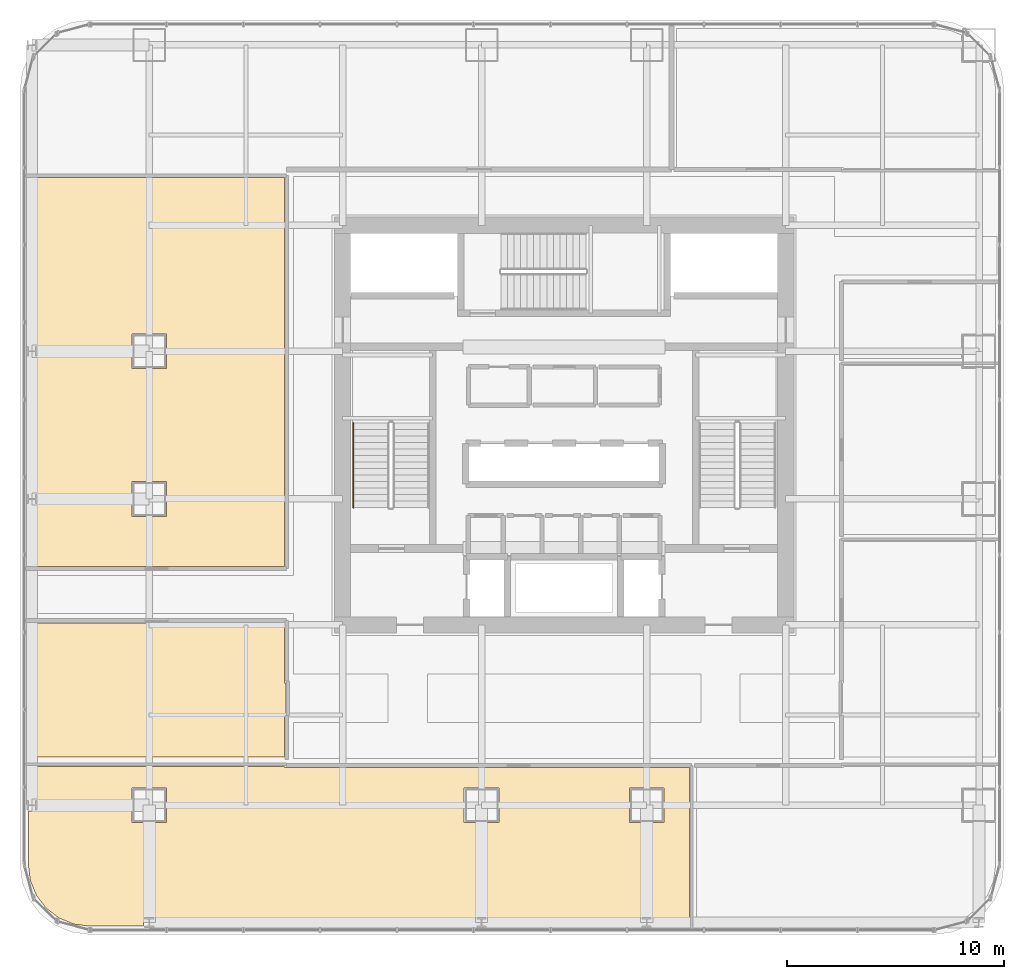
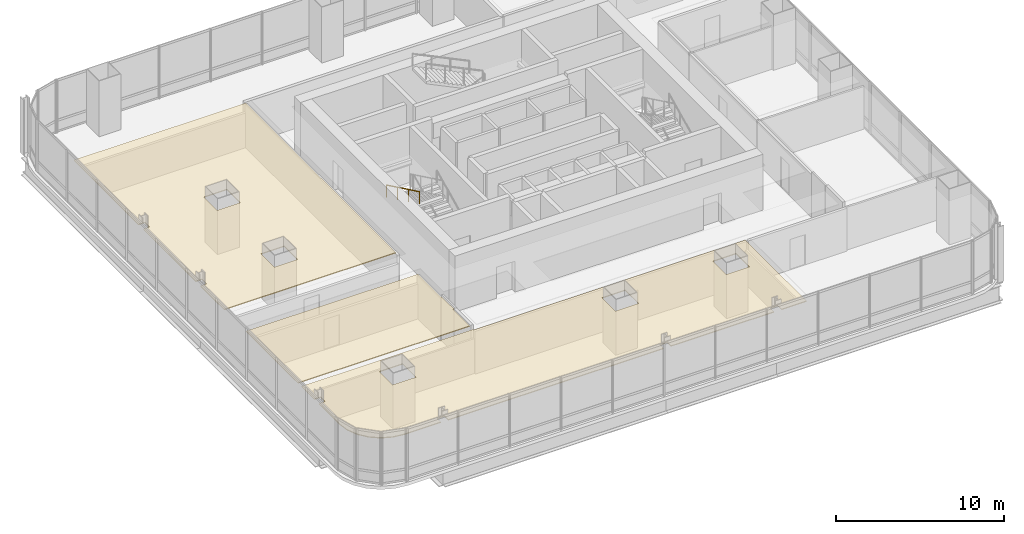
# One storey, part 31 of 35: 3 coverings, 1 railing.
"""IFC4 building model written with IfcOpenShell, lengths in metres."""

from ifc_helpers import new_model, si_unit, direction, frame, origin, origin_2d, place, context, subcontext, project, spatial, polyline, circle, outline, extrude, material, layer, layer_set, type_object, element, save


model = new_model("IFC4")

# Units and contexts
model_context = context("Model", 3, precision=1e-05, world=origin(), true_north=direction((0.0, 1.0)))
body_context = subcontext(model_context, "Body", "Model", "MODEL_VIEW")
ifc_project = project(units=[si_unit("LENGTHUNIT", "METRE"), si_unit("AREAUNIT", "SQUARE_METRE"), si_unit("VOLUMEUNIT", "CUBIC_METRE"), si_unit("PLANEANGLEUNIT", "RADIAN"), si_unit("MASSUNIT", "GRAM", prefix="KILO")], contexts=[model_context])

# Site, building, storey
site_placement = place(None, origin())
site = spatial("IfcSite", under=ifc_project, at=site_placement, CompositionType="ELEMENT")
building_placement = place(site_placement, origin())
building = spatial("IfcBuilding", under=site, at=building_placement, Name="Punatoya Terracotta Tower", CompositionType="ELEMENT")
storey_placement = place(building_placement, frame((0.0, 0.0, 52.5)))
storey = spatial("IfcBuildingStorey", under=building, at=storey_placement, Name="L11", CompositionType="ELEMENT", Elevation=52.5)

# Coverings
ifc_material_1 = material(Name="Acoustic Mineral Fibre Ceiling")
ifc_layer = layer(ifc_material_1, 0.06005859375)
ifc_layer_set = layer_set([ifc_layer], Name="Acoustic Mineral Fibre Ceiling")
covering_type = type_object("IfcCoveringType", Name="COV-CEIL-60", PredefinedType="CEILING", material=ifc_layer_set)
covering_1_placement = place(storey_placement, frame((0.0, 0.0, 3.199951171875)))
element("IfcCovering", 1, at=covering_1_placement, inside=storey, type_object=covering_type, Name="L11 Computational Simulation Laboratory Acoustic Ceiling", PredefinedType="CEILING", context=body_context, shape_type="SweptSolid", body=[
    extrude(outline(polyline([(-12.8701171875, -15.77001953125), (-12.8701171875, -15.7099609375), (-24.669921875, -15.7099609375), (-24.669921875, -17.22705078125), (-24.241943359375, -17.22705078125), (-24.241943359375, -17.77294921875), (-24.669921875, -17.77294921875), (-24.669921875, -20.22509765625), (-24.57080078125, -20.97900390625), (-24.289306640625, -21.658203125), (-23.841796875, -22.24169921875), (-23.25830078125, -22.689453125), (-22.5791015625, -22.970703125), (-21.8251953125, -23.070068359375), (-19.35791015625, -23.070068359375), (-19.35791015625, -22.626953125), (-18.842041015625, -22.626953125), (-18.842041015625, -23.070068359375), (-4.05810546875, -23.070068359375), (-4.05810546875, -22.626953125), (-3.5419921875, -22.626953125), (-3.5419921875, -23.070068359375), (3.5419921875, -23.070068359375), (3.5419921875, -22.626953125), (4.05810546875, -22.626953125), (4.05810546875, -23.070068359375), (5.77392578125, -23.070068359375), (5.77392578125, -15.77001953125), (-12.8701171875, -15.77001953125)]), holes=[polyline([(4.60009765625, -16.699951171875), (4.60009765625, -18.300048828125), (3.0, -18.300048828125), (3.0, -16.699951171875), (4.60009765625, -16.699951171875)]), polyline([(-4.60009765625, -16.699951171875), (-3.0, -16.699951171875), (-3.0, -18.300048828125), (-4.60009765625, -18.300048828125), (-4.60009765625, -16.699951171875)]), polyline([(-19.89990234375, -18.300048828125), (-19.89990234375, -16.699951171875), (-18.300048828125, -16.699951171875), (-18.300048828125, -18.300048828125), (-19.89990234375, -18.300048828125)])]), origin(), (0.0, 0.0, 1.0), 0.06005859375),
])
covering_2_placement = place(storey_placement, frame((0.0, 0.0, 3.199951171875)))
element("IfcCovering", 2, at=covering_2_placement, inside=storey, type_object=covering_type, Name="L11 Materials Testing Laboratory Acoustic Ceiling", PredefinedType="CEILING", context=body_context, shape_type="SweptSolid", body=[
    extrude(outline(polyline([(-12.8701171875, -13.280029296875), (-12.81005859375, -13.280029296875), (-12.81005859375, -11.8701171875), (-12.8701171875, -11.8701171875), (-12.8701171875, -9.10009765625), (-24.669921875, -9.10009765625), (-24.669921875, -15.2900390625), (-12.8701171875, -15.2900390625), (-12.8701171875, -13.280029296875)])), origin(), (0.0, 0.0, 1.0), 0.06005859375),
])
covering_3_placement = place(storey_placement, frame((0.0, 0.0, 3.199951171875)))
element("IfcCovering", 3, at=covering_3_placement, inside=storey, type_object=covering_type, Name="L11 Laboratory Staff Pantry Acoustic Ceiling", PredefinedType="CEILING", context=body_context, shape_type="SweptSolid", body=[
    extrude(outline(polyline([(-24.241943359375, -3.126953125), (-24.241943359375, -3.673095703125), (-24.669921875, -3.673095703125), (-24.669921875, -6.5), (-12.8701171875, -6.5), (-12.8701171875, 11.389892578125), (-24.669921875, 11.389892578125), (-24.669921875, 3.673095703125), (-24.241943359375, 3.673095703125), (-24.241943359375, 3.126953125), (-24.669921875, 3.126953125), (-24.669921875, -3.126953125), (-24.241943359375, -3.126953125)]), holes=[polyline([(-18.300048828125, -4.199951171875), (-19.89990234375, -4.199951171875), (-19.89990234375, -2.60009765625), (-18.300048828125, -2.60009765625), (-18.300048828125, -4.199951171875)]), polyline([(-18.300048828125, 4.199951171875), (-18.300048828125, 2.60009765625), (-19.89990234375, 2.60009765625), (-19.89990234375, 4.199951171875), (-18.300048828125, 4.199951171875)])]), origin(), (0.0, 0.0, 1.0), 0.06005859375),
])

# Railing
ifc_material_2 = material(Name="Steel S355", Category="steel")
railing_type = type_object("IfcRailingType", Name="RLG-HND-900", PredefinedType="HANDRAIL", material=ifc_material_2)
railing_placement = place(storey_placement, frame((-9.699951171875, 0.10009765625, 2.169677734375)))
element("IfcRailing", 4, at=railing_placement, inside=storey, type_object=railing_type, Name="L11 ST-1 stair handrail 2", PredefinedType="HANDRAIL", context=body_context, shape_type="SweptSolid", body=[
    extrude(circle(Radius=0.02392578125, at=origin_2d()), frame((0.0, 0.0, 0.8759765625), z_axis=(0.0, -0.900773802044, 0.434288564841), x_axis=(1.0, 0.0, 0.0)), (0.0, 0.0, 1.0), 4.329833984375),
    extrude(circle(Radius=0.02099609375, at=origin_2d()), origin(), (0.0, 0.0, 1.0), 0.851806640625),
    extrude(circle(Radius=0.02099609375, at=origin_2d()), frame((0.0, -1.300048828125, 0.626708984375)), (0.0, 0.0, 1.0), 0.851806640625),
    extrude(circle(Radius=0.02099609375, at=origin_2d()), frame((0.0, -2.60009765625, 1.253662109375)), (0.0, 0.0, 1.0), 0.851806640625),
    extrude(circle(Radius=0.02099609375, at=origin_2d()), frame((0.0, -3.900146484375, 1.88037109375)), (0.0, 0.0, 1.0), 0.851806640625),
])

save(model, "model.ifc")
